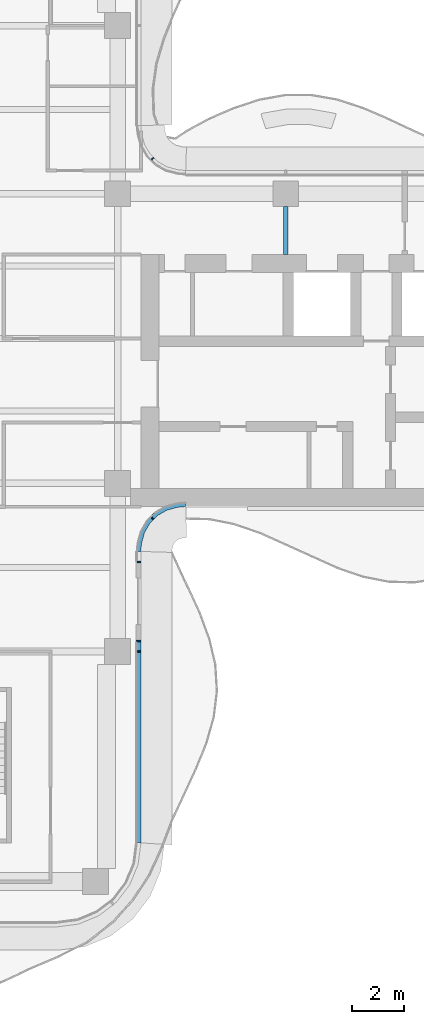
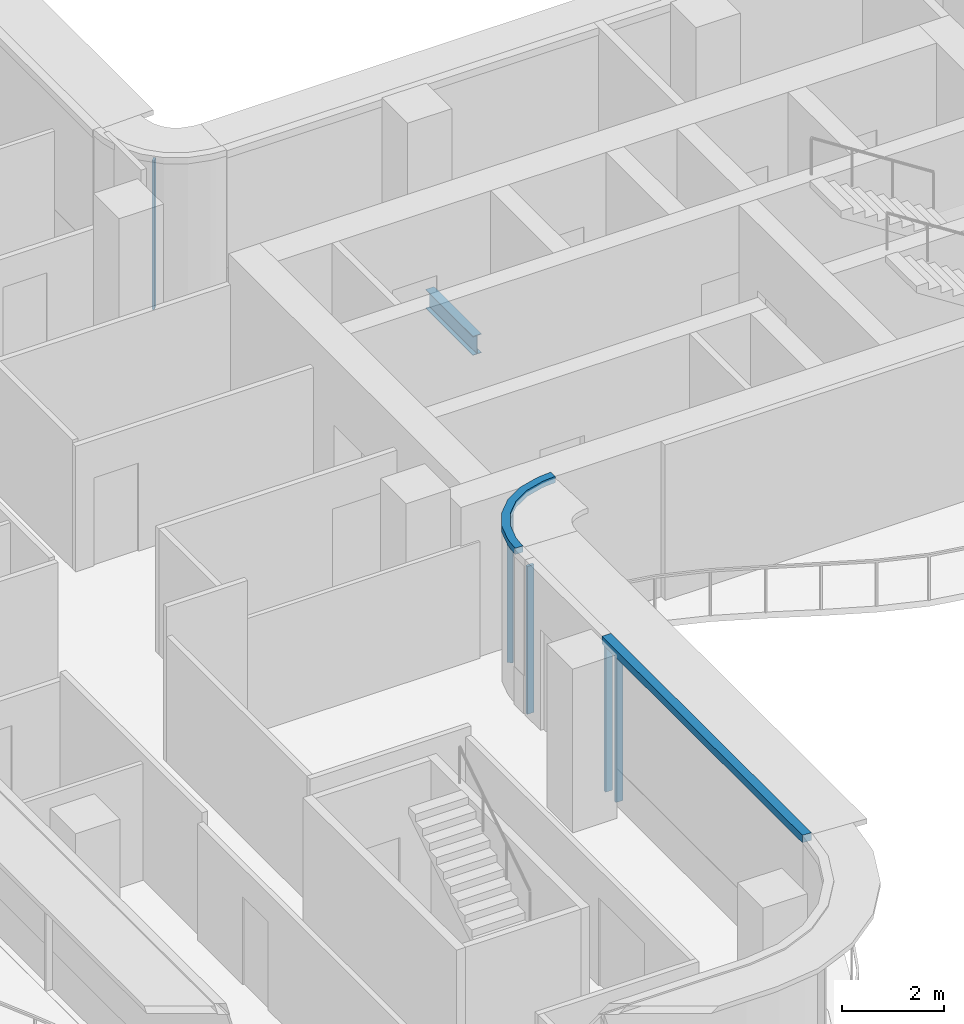
# One storey, part 5 of 17: 7 members, 1 beam, 4 elements without a shape of their own.
"""IFC4 building model written with IfcOpenShell, lengths in metres."""

from ifc_helpers import new_model, si_unit, direction, frame, origin, origin_2d, place, context, subcontext, project, spatial, polyline, rectangle, i_section, outline, extrude, source, transform, mapped, material, layer, layer_set, material_profile, profile_set, type_object, element, aggregate, save


model = new_model("IFC4")

# Units and contexts
model_context = context("Model", 3, precision=1e-05, world=origin(), true_north=direction((0.0, 1.0)))
body_context = subcontext(model_context, "Body", "Model", "MODEL_VIEW")
ifc_project = project(units=[si_unit("LENGTHUNIT", "METRE"), si_unit("AREAUNIT", "SQUARE_METRE"), si_unit("VOLUMEUNIT", "CUBIC_METRE"), si_unit("PLANEANGLEUNIT", "RADIAN"), si_unit("MASSUNIT", "GRAM", prefix="KILO")], contexts=[model_context])

# Site, building, storey
site_placement = place(None, origin())
site = spatial("IfcSite", under=ifc_project, at=site_placement, CompositionType="ELEMENT")
building_placement = place(site_placement, origin())
building = spatial("IfcBuilding", under=site, at=building_placement, Name="Trellis Farm Tower", CompositionType="ELEMENT")
storey_placement = place(building_placement, frame((0.0, 0.0, 283.300048828125)))
storey = spatial("IfcBuildingStorey", under=building, at=storey_placement, Name="L63", CompositionType="ELEMENT", Elevation=283.300048828125)

# Beam
ifc_material_1 = material(Name="Steel S355", Category="steel")
ifc_material_profile_1 = material_profile(ifc_material_1, i_section(OverallWidth=0.1904296875, OverallDepth=0.45703125, WebThickness=0.009033203125, FlangeThickness=0.014404296875, FilletRadius=0.01025390625, at=origin_2d()), Name="UB 457x191x74")
ifc_profile_set_1 = profile_set([ifc_material_profile_1], Name="Steel S355")
beam_type = type_object("IfcBeamType", Name="UB 457x191x74", PredefinedType="BEAM", material=ifc_profile_set_1)
shared_shape_1 = source(origin(), body_context, "Body", "SweptSolid", [
    extrude(i_section(OverallWidth=0.1904296875, OverallDepth=0.45703125, WebThickness=0.009033203125, FlangeThickness=0.014404296875, FilletRadius=0.01025390625, at=origin_2d()), origin(), (0.0, 0.0, 1.0), 1.85009765625),
])
beam_placement = place(storey_placement, frame((12.10009765625, 3.25, -0.428466796875), z_axis=(0.0, 1.0, 0.0), x_axis=(-1.0, 0.0, 0.0)))
element("IfcBeam", 1, at=beam_placement, inside=storey, type_object=beam_type, Name="Girder", PredefinedType="BEAM", context=body_context, shape_type="MappedRepresentation", body=[
    mapped(shared_shape_1, transform((0.0, 0.0, 0.0))),
])

# Curtain wall, member
ifc_material_2 = material(Name="Aluminium and glass curtain wall", Category="aluminium")
ifc_layer_1 = layer(ifc_material_2, 0.166015625)
ifc_layer_set_1 = layer_set([ifc_layer_1], Name="WINTER GARDEN CURTAIN WALL CW3")
curtain_wall_type_1 = type_object("IfcCurtainWallType", Name="WINTER GARDEN CURTAIN WALL CW3", PredefinedType="NOTDEFINED", material=ifc_layer_set_1)
placement = place(storey_placement, origin())
curtain_wall_1 = element("IfcCurtainWall", 2, at=placement, inside=storey, type_object=curtain_wall_type_1, Name="CW3 002", PredefinedType="NOTDEFINED")
ifc_material_3 = material(Name="Aluminium extrusion 6063-T6", Category="aluminium")
ifc_layer_2 = layer(ifc_material_3, 0.169921875)
ifc_layer_set_2 = layer_set([ifc_layer_2], Name="Aluminium extrusion 6063-T6")
member_type_1 = type_object("IfcMemberType", Name="CW3 TRANSOM 170x150", PredefinedType="USERDEFINED", material=ifc_layer_set_2)
shared_shape_2 = source(origin(), body_context, "Body", "SweptSolid", [
    extrude(outline(polyline([(6.5, -8.2314453125), (6.513916015625, -8.01953125), (6.527587890625, -7.91552734375), (6.63671875, -7.508544921875), (6.846923828125, -7.144287109375), (7.144287109375, -6.846923828125), (7.508544921875, -6.63671875), (7.91552734375, -6.527587890625), (8.01953125, -6.513916015625), (8.2314453125, -6.5), (8.225830078125, -6.330078125), (8.0029296875, -6.3447265625), (7.88232421875, -6.360595703125), (7.44287109375, -6.478271484375), (7.0400390625, -6.7109375), (6.7109375, -7.0400390625), (6.478271484375, -7.44287109375), (6.360595703125, -7.88232421875), (6.3447265625, -8.0029296875), (6.330078125, -8.225830078125), (6.5, -8.2314453125)])), origin(), (0.0, 0.0, 1.0), 0.14990234375),
])
member_1_placement = place(storey_placement, frame((0.0, 0.0, 3.550048828125)))
member_1 = element("IfcMember", 3, at=member_1_placement, type_object=member_type_1, Name="TR3 002", ObjectType="TRANSOM", PredefinedType="USERDEFINED", context=body_context, shape_type="MappedRepresentation", body=[
    mapped(shared_shape_2, transform((0.0, 0.0, 0.0))),
])

# Curtain wall, members
ifc_layer_3 = layer(ifc_material_2, 0.18994140625)
ifc_layer_set_3 = layer_set([ifc_layer_3], Name="RIBBON CURTAIN WALL CW1")
curtain_wall_type_2 = type_object("IfcCurtainWallType", Name="RIBBON CURTAIN WALL CW1", PredefinedType="NOTDEFINED", material=ifc_layer_set_3)
curtain_wall_2 = element("IfcCurtainWall", 4, at=placement, inside=storey, type_object=curtain_wall_type_2, Name="CW1 004", PredefinedType="NOTDEFINED")
ifc_material_profile_2 = material_profile(ifc_material_3, rectangle(XDim=0.06005859375, YDim=0.14990234375, at=origin_2d()), Name="MULLION 60x150")
ifc_profile_set_2 = profile_set([ifc_material_profile_2], Name="Aluminium extrusion 6063-T6")
member_type_2 = type_object("IfcMemberType", Name="CW1 MULLION 60x150", PredefinedType="MULLION", material=ifc_profile_set_2)
shared_shape_3 = source(origin(), body_context, "Body", "SweptSolid", [
    extrude(rectangle(XDim=0.06005859375, YDim=0.14990234375, at=origin_2d()), origin(), (0.0, 0.0, 1.0), 3.52001953125),
])
member_2_placement = place(storey_placement, frame((6.425048828125, -12.10009765625, 0.0), z_axis=(0.0, 0.0, 1.0), x_axis=(0.0, 1.0, 0.0)))
member_2 = element("IfcMember", 5, at=member_2_placement, type_object=member_type_2, Name="MU1 004-01", PredefinedType="MULLION", context=body_context, shape_type="MappedRepresentation", body=[
    mapped(shared_shape_3, transform((0.0, 0.0, 0.0))),
])
member_3_placement = place(storey_placement, frame((6.425048828125, -11.69580078125, 0.0), z_axis=(0.0, 0.0, 1.0), x_axis=(0.0, 1.0, 0.0)))
member_3 = element("IfcMember", 6, at=member_3_placement, type_object=member_type_2, Name="MU1 004-02", PredefinedType="MULLION", context=body_context, shape_type="MappedRepresentation", body=[
    mapped(shared_shape_3, transform((0.0, 0.0, 0.0))),
])

# Curtain wall, member
curtain_wall_3 = element("IfcCurtainWall", 7, at=placement, inside=storey, type_object=curtain_wall_type_2, Name="CW1 005", PredefinedType="NOTDEFINED")
member_4_placement = place(storey_placement, frame((6.425048828125, -8.6357421875, 0.0), z_axis=(0.0, 0.0, 1.0), x_axis=(0.0, 1.0, 0.0)))
member_4 = element("IfcMember", 8, at=member_4_placement, type_object=member_type_2, Name="MU1 005-01", PredefinedType="MULLION", context=body_context, shape_type="MappedRepresentation", body=[
    mapped(shared_shape_3, transform((0.0, 0.0, 0.0))),
])
aggregate(curtain_wall_3, [member_4])

# Member
ifc_material_profile_3 = material_profile(ifc_material_3, rectangle(XDim=0.050048828125, YDim=0.1201171875, at=origin_2d()), Name="MULLION 50x120")
ifc_profile_set_3 = profile_set([ifc_material_profile_3], Name="Aluminium extrusion 6063-T6")
member_type_3 = type_object("IfcMemberType", Name="CW3 MULLION 50x120", PredefinedType="MULLION", material=ifc_profile_set_3)
shared_shape_4 = source(origin(), body_context, "Body", "SweptSolid", [
    extrude(rectangle(XDim=0.050048828125, YDim=0.1201171875, at=origin_2d()), origin(), (0.0, 0.0, 1.0), 3.550048828125),
])
member_5_placement = place(storey_placement, frame((6.953125, -6.953125, 0.0), z_axis=(0.0, 0.0, 1.0), x_axis=(0.707106781187, 0.707106781187, 0.0)))
member_5 = element("IfcMember", 9, at=member_5_placement, type_object=member_type_3, Name="MU3 002-01", PredefinedType="MULLION", context=body_context, shape_type="MappedRepresentation", body=[
    mapped(shared_shape_4, transform((0.0, 0.0, 0.0))),
])

aggregate(curtain_wall_1, [member_5, member_1])

# Curtain wall, member
curtain_wall_4 = element("IfcCurtainWall", 10, at=placement, inside=storey, type_object=curtain_wall_type_1, Name="CW3 003", PredefinedType="NOTDEFINED")
member_6_placement = place(storey_placement, frame((6.953125, 6.953125, 0.0), z_axis=(0.0, 0.0, 1.0), x_axis=(-0.707106781187, 0.707106781187, 0.0)))
member_6 = element("IfcMember", 11, at=member_6_placement, type_object=member_type_3, Name="MU3 003-01", PredefinedType="MULLION", context=body_context, shape_type="MappedRepresentation", body=[
    mapped(shared_shape_4, transform((0.0, 0.0, 0.0))),
])
aggregate(curtain_wall_4, [member_6])

# Member
ifc_layer_4 = layer(ifc_material_3, 0.199951171875)
ifc_layer_set_4 = layer_set([ifc_layer_4], Name="Aluminium extrusion 6063-T6")
member_type_4 = type_object("IfcMemberType", Name="CW1 TRANSOM 200x180", PredefinedType="USERDEFINED", material=ifc_layer_set_4)
shared_shape_5 = source(origin(), body_context, "Body", "SweptSolid", [
    extrude(outline(polyline([(6.5, -19.5), (6.5, -11.665771484375), (6.300048828125, -11.665771484375), (6.300048828125, -19.48681640625), (6.5, -19.5)])), origin(), (0.0, 0.0, 1.0), 0.179931640625),
])
member_7_placement = place(storey_placement, frame((0.0, 0.0, 3.52001953125)))
member_7 = element("IfcMember", 12, at=member_7_placement, type_object=member_type_4, Name="TR1 004", ObjectType="TRANSOM", PredefinedType="USERDEFINED", context=body_context, shape_type="MappedRepresentation", body=[
    mapped(shared_shape_5, transform((0.0, 0.0, 0.0))),
])

aggregate(curtain_wall_2, [member_2, member_3, member_7])

save(model, "model.ifc")
